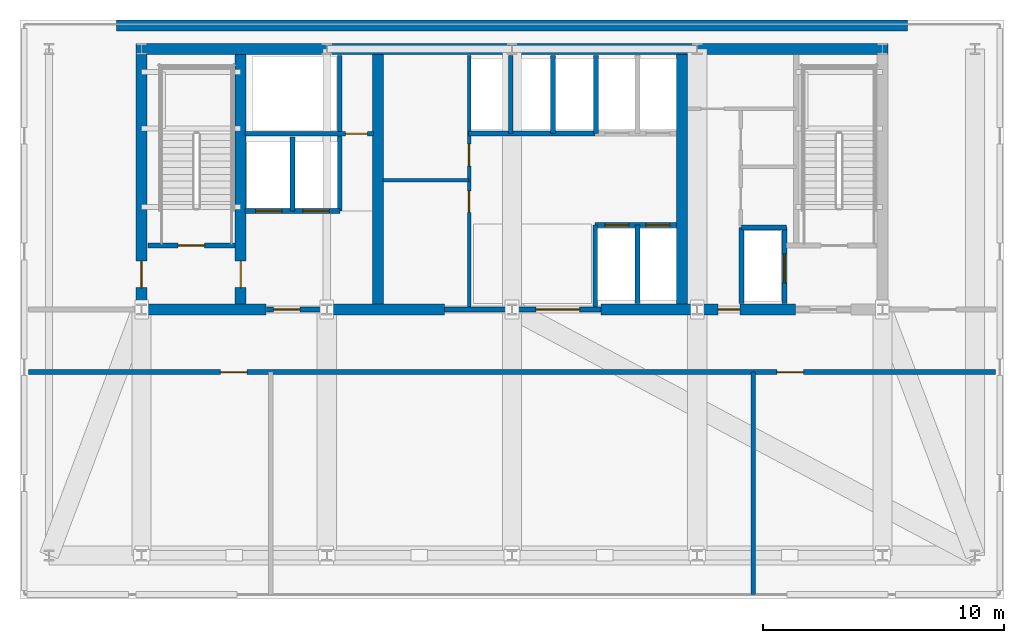
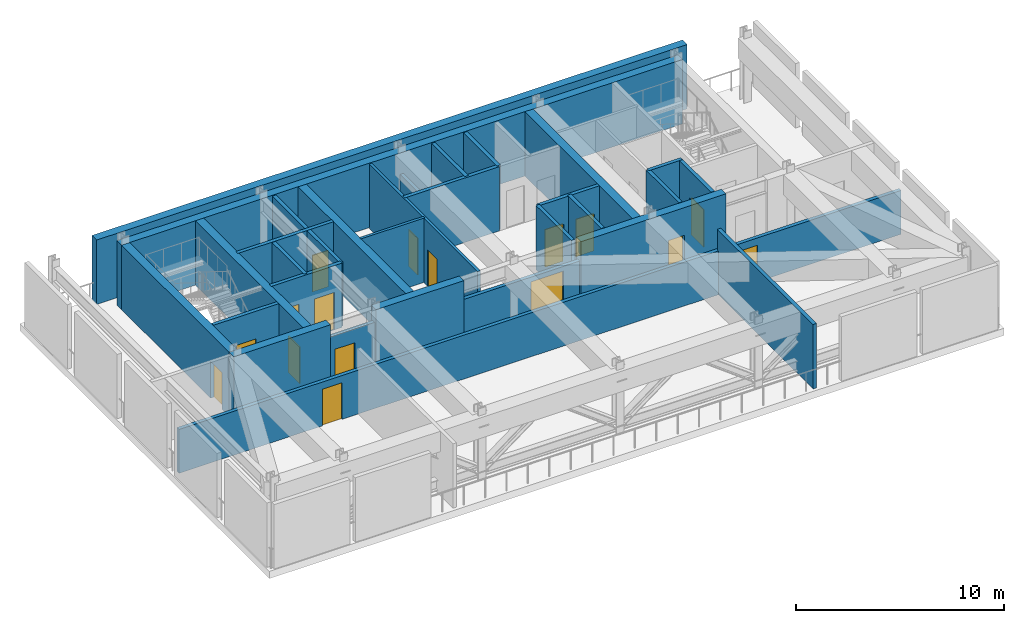
# One storey, part 2 of 8: 30 walls, 16 doors, 16 openings.
"""IFC4 building model written with IfcOpenShell, lengths in metres."""

from ifc_helpers import new_model, si_unit, direction, frame, frame_2d, origin, place, context, subcontext, project, spatial, rectangle, extrude, material, layer, layer_set, type_object, element, fill, save


model = new_model("IFC4")

# Units and contexts
model_context = context("Model", 3, precision=1e-05, world=origin(), true_north=direction((0.0, 1.0)))
body_context = subcontext(model_context, "Body", "Model", "MODEL_VIEW")
ifc_project = project(units=[si_unit("LENGTHUNIT", "METRE"), si_unit("AREAUNIT", "SQUARE_METRE"), si_unit("VOLUMEUNIT", "CUBIC_METRE"), si_unit("PLANEANGLEUNIT", "RADIAN"), si_unit("MASSUNIT", "GRAM", prefix="KILO")], contexts=[model_context])

# Site, building, storey
site_placement = place(None, origin())
site = spatial("IfcSite", under=ifc_project, at=site_placement, CompositionType="ELEMENT")
building_placement = place(site_placement, origin())
building = spatial("IfcBuilding", under=site, at=building_placement, Name="Yelkora Congress Tower", CompositionType="ELEMENT")
storey_placement = place(building_placement, frame((0.0, 0.0, 200.300048828125)))
storey = spatial("IfcBuildingStorey", under=building, at=storey_placement, Name="L55", CompositionType="ELEMENT", Elevation=200.300048828125)

# Walls
ifc_material_1 = material(Name="Concrete C60/75", Category="concrete")
ifc_layer_1 = layer(ifc_material_1, 0.449951171875)
ifc_layer_set_1 = layer_set([ifc_layer_1], Name="Concrete C60/75")
wall_type_1 = type_object("IfcWallType", Name="WALL-CORE-EXT-450", PredefinedType="SHEAR", material=ifc_layer_set_1)
wall_1_placement = place(storey_placement, frame((22.0, 47.175048828125, 0.0), z_axis=(0.0, 0.0, 1.0), x_axis=(1.0, 0.0, 0.0)))
element("IfcWall", 1, at=wall_1_placement, inside=storey, type_object=wall_type_1, Name="L55 Exterior North Core Shear Wall", PredefinedType="SHEAR", context=body_context, shape_type="SweptSolid", body=[
    extrude(rectangle(XDim=32.800048828125, YDim=0.449951171875, at=frame_2d((16.39990234375, 0.0))), origin(), (0.0, 0.0, 1.0), 3.780029296875),
])
ifc_layer_2 = layer(ifc_material_1, 0.449951171875)
ifc_layer_set_2 = layer_set([ifc_layer_2], Name="Concrete C60/75")
wall_type_2 = type_object("IfcWallType", Name="WALL-CORE-INT-450", PredefinedType="SHEAR", material=ifc_layer_set_2)
wall_2_placement = place(storey_placement, frame((22.81494140625, 46.199951171875, 0.0), z_axis=(0.0, 0.0, 1.0), x_axis=(1.0, 0.0, 0.0)))
element("IfcWall", 2, at=wall_2_placement, inside=storey, type_object=wall_type_2, Name="L55 Rear Core North Shear Wall", PredefinedType="SHEAR", context=body_context, shape_type="SweptSolid", body=[
    extrude(rectangle(XDim=31.170166015625, YDim=0.449951171875, at=frame_2d((15.5849609375, 0.0))), origin(), (0.0, 0.0, 1.0), 3.780029296875),
])
wall_3_placement = place(storey_placement, frame((22.81494140625, 35.39990234375, 0.0), z_axis=(0.0, 0.0, 1.0), x_axis=(1.0, 0.0, 0.0)))
element("IfcWall", 3, at=wall_3_placement, inside=storey, type_object=wall_type_2, Name="L55 Rear Core South-West Shear Wall", PredefinedType="SHEAR", context=body_context, shape_type="SweptSolid", body=[
    extrude(rectangle(XDim=5.385009765625, YDim=0.449951171875, at=frame_2d((2.6923828125, 0.0))), origin(), (0.0, 0.0, 1.0), 3.780029296875),
])
wall_4_placement = place(storey_placement, frame((30.719970703125, 35.39990234375, 0.0), z_axis=(0.0, 0.0, 1.0), x_axis=(1.0, 0.0, 0.0)))
element("IfcWall", 4, at=wall_4_placement, inside=storey, type_object=wall_type_2, Name="L55 Rear Core South-Center Shear Pier", PredefinedType="SHEAR", context=body_context, shape_type="SweptSolid", body=[
    extrude(rectangle(XDim=4.880126953125, YDim=0.449951171875, at=frame_2d((2.43994140625, 0.0))), origin(), (0.0, 0.0, 1.0), 3.780029296875),
])

# Wall, opening, door
wall_5_placement = place(storey_placement, frame((42.10009765625, 35.39990234375, 0.0), z_axis=(0.0, 0.0, 1.0), x_axis=(1.0, 0.0, 0.0)))
wall_5 = element("IfcWall", 5, at=wall_5_placement, inside=storey, type_object=wall_type_2, Name="L55 Rear Core South-East Shear Wall A", PredefinedType="SHEAR", context=body_context, shape_type="SweptSolid", body=[
    extrude(rectangle(XDim=8.0498046875, YDim=0.449951171875, at=frame_2d((4.02490234375, 0.0))), origin(), (0.0, 0.0, 1.0), 3.780029296875),
])
opening_1_placement = place(wall_5_placement, frame((4.85009765625, 0.0, 0.0)))
opening_1 = element("IfcOpeningElement", 6, at=opening_1_placement, cuts=wall_5, Name="Opening DR-090F6", PredefinedType="OPENING", context=body_context, shape_type="SweptSolid", body=[
    extrude(rectangle(XDim=0.89990234375, YDim=2.14990234375, at=frame_2d((0.449951171875, 1.074951171875))), frame((0.0, 0.23486328125, 0.0), z_axis=(0.0, -1.0, 0.0), x_axis=(1.0, 0.0, 0.0)), (0.0, 0.0, 1.0), 0.469970703125),
])
ifc_material_2 = material(Name="Painted steel riser fire door leaf", Category="steel")
door_type_1 = type_object("IfcDoorType", Name="DOOR-FD60-900", OperationType="NOTDEFINED", PredefinedType="DOOR", material=ifc_material_2)
door_1_placement = place(opening_1_placement, origin())
door_1 = element("IfcDoor", 7, at=door_1_placement, inside=storey, type_object=door_type_1, Name="L55 Core Washroom Lobby Door", OperationType="SINGLE_SWING_RIGHT", OverallHeight=2.14990234375, OverallWidth=0.89990234375, PredefinedType="DOOR", context=body_context, shape_type="SweptSolid", body=[
    extrude(rectangle(XDim=0.89990234375, YDim=2.14990234375, at=frame_2d((0.449951171875, 1.074951171875))), frame((0.0, 0.02490234375, 0.0), z_axis=(0.0, -1.0, 0.0), x_axis=(1.0, 0.0, 0.0)), (0.0, 0.0, 1.0), 0.050048828125),
])
fill(opening_1, door_1)

wall_6_placement = place(storey_placement, frame((23.0400390625, 35.625, 0.0), z_axis=(0.0, 0.0, 1.0), x_axis=(0.0, 1.0, 0.0)))
wall_6 = element("IfcWall", 8, at=wall_6_placement, inside=storey, type_object=wall_type_2, Name="L55 Rear Core Cross Shear Wall W", PredefinedType="SHEAR", context=body_context, shape_type="SweptSolid", body=[
    extrude(rectangle(XDim=10.35009765625, YDim=0.449951171875, at=frame_2d((5.175048828125, 0.0))), origin(), (0.0, 0.0, 1.0), 3.780029296875),
])
opening_2_placement = place(wall_6_placement, frame((0.675048828125, 0.0, 0.0)))
opening_2 = element("IfcOpeningElement", 9, at=opening_2_placement, cuts=wall_6, Name="Opening DR-110F9", PredefinedType="OPENING", context=body_context, shape_type="SweptSolid", body=[
    extrude(rectangle(XDim=1.10009765625, YDim=2.14990234375, at=frame_2d((0.550048828125, 1.074951171875))), frame((0.0, 0.23486328125, 0.0), z_axis=(0.0, -1.0, 0.0), x_axis=(1.0, 0.0, 0.0)), (0.0, 0.0, 1.0), 0.469970703125),
])
ifc_material_3 = material(Name="Galvanised steel fire door leaf", Category="steel")
door_type_2 = type_object("IfcDoorType", Name="DOOR-FD90-1100", OperationType="NOTDEFINED", PredefinedType="DOOR", material=ifc_material_3)
door_2_placement = place(opening_2_placement, origin())
door_2 = element("IfcDoor", 10, at=door_2_placement, inside=storey, type_object=door_type_2, Name="L55 Area of Refuge Direct Stair-Lobby Door", OperationType="SINGLE_SWING_LEFT", OverallHeight=2.14990234375, OverallWidth=1.10009765625, PredefinedType="DOOR", context=body_context, shape_type="SweptSolid", body=[
    extrude(rectangle(XDim=1.10009765625, YDim=2.14990234375, at=frame_2d((0.550048828125, 1.074951171875))), frame((0.0, 0.02490234375, 0.0), z_axis=(0.0, -1.0, 0.0), x_axis=(1.0, 0.0, 0.0)), (0.0, 0.0, 1.0), 0.050048828125),
])
fill(opening_2, door_2)

wall_7_placement = place(storey_placement, frame((27.14990234375, 35.625, 0.0), z_axis=(0.0, 0.0, 1.0), x_axis=(0.0, 1.0, 0.0)))
wall_7 = element("IfcWall", 11, at=wall_7_placement, inside=storey, type_object=wall_type_2, Name="L55 Rear Core Cross Shear Wall C1", PredefinedType="SHEAR", context=body_context, shape_type="SweptSolid", body=[
    extrude(rectangle(XDim=10.35009765625, YDim=0.449951171875, at=frame_2d((5.175048828125, 0.0))), origin(), (0.0, 0.0, 1.0), 3.780029296875),
])
opening_3_placement = place(wall_7_placement, frame((0.675048828125, 0.0, 0.0)))
opening_3 = element("IfcOpeningElement", 12, at=opening_3_placement, cuts=wall_7, Name="Opening DR-110F9", PredefinedType="OPENING", context=body_context, shape_type="SweptSolid", body=[
    extrude(rectangle(XDim=1.10009765625, YDim=2.14990234375, at=frame_2d((0.550048828125, 1.074951171875))), frame((0.0, 0.23486328125, 0.0), z_axis=(0.0, -1.0, 0.0), x_axis=(1.0, 0.0, 0.0)), (0.0, 0.0, 1.0), 0.469970703125),
])
door_3_placement = place(opening_3_placement, origin())
door_3 = element("IfcDoor", 13, at=door_3_placement, inside=storey, type_object=door_type_2, Name="L55 Firefighting Stair Transfer Door", OperationType="SINGLE_SWING_LEFT", OverallHeight=2.14990234375, OverallWidth=1.10009765625, PredefinedType="DOOR", context=body_context, shape_type="SweptSolid", body=[
    extrude(rectangle(XDim=1.10009765625, YDim=2.14990234375, at=frame_2d((0.550048828125, 1.074951171875))), frame((0.0, 0.02490234375, 0.0), z_axis=(0.0, -1.0, 0.0), x_axis=(1.0, 0.0, 0.0)), (0.0, 0.0, 1.0), 0.050048828125),
])
fill(opening_3, door_3)

# Walls
for number, where, z_axis, x_axis, name in (
    (14, (32.85009765625, 35.625, 0.0), (0.0, 0.0, 1.0), (0.0, 1.0, 0.0), "L55 Rear Core Cross Shear Wall C2"),
    (15, (45.449951171875, 35.625, 0.0), (0.0, 0.0, 1.0), (0.0, 1.0, 0.0), "L55 Rear Core Cross Shear Wall C3"),
):
    element("IfcWall", number, at=place(storey_placement, frame(where, z_axis=z_axis, x_axis=x_axis)), inside=storey, type_object=wall_type_2, Name=name, PredefinedType="SHEAR", context=body_context, shape_type="SweptSolid", body=[
        extrude(rectangle(XDim=10.35009765625, YDim=0.449951171875, at=frame_2d((5.175048828125, 0.0))), origin(), (0.0, 0.0, 1.0), 3.780029296875),
    ])
ifc_material_4 = material(Name="Twin-stud fire-rated gypsum partition", Category="gypsum")
ifc_layer_3 = layer(ifc_material_4, 0.14990234375)
ifc_layer_set_3 = layer_set([ifc_layer_3], Name="Twin-stud fire-rated gypsum partition")
wall_type_3 = type_object("IfcWallType", Name="WALL-INT-150-R60", PredefinedType="PARTITIONING", material=ifc_layer_set_3)
wall_8_placement = place(storey_placement, frame((33.050048828125, 40.75, 0.0), z_axis=(0.0, 0.0, 1.0), x_axis=(1.0, 0.0, 0.0)))
element("IfcWall", 16, at=wall_8_placement, inside=storey, type_object=wall_type_3, Name="L55 Partition Wall 11", PredefinedType="PARTITIONING", context=body_context, shape_type="SweptSolid", body=[
    extrude(rectangle(XDim=3.570068359375, YDim=0.14990234375, at=frame_2d((1.78515625, 0.0))), origin(), (0.0, 0.0, 1.0), 3.780029296875),
])

# Wall, openings, doors
wall_9_placement = place(storey_placement, frame((36.6201171875, 35.5, 0.0), z_axis=(0.0, 0.0, 1.0), x_axis=(0.0, 1.0, 0.0)))
wall_9 = element("IfcWall", 17, at=wall_9_placement, inside=storey, type_object=wall_type_3, Name="L55 Partition Wall 12", PredefinedType="PARTITIONING", context=body_context, shape_type="SweptSolid", body=[
    extrude(rectangle(XDim=10.419921875, YDim=0.14990234375, at=frame_2d((5.2099609375, 0.0))), origin(), (0.0, 0.0, 1.0), 3.780029296875),
])
opening_4_placement = place(wall_9_placement, frame((3.919921875, 0.0, 0.0)))
opening_4 = element("IfcOpeningElement", 18, at=opening_4_placement, cuts=wall_9, Name="Opening DR-090F6", PredefinedType="OPENING", context=body_context, shape_type="SweptSolid", body=[
    extrude(rectangle(XDim=0.89990234375, YDim=2.14990234375, at=frame_2d((0.449951171875, 1.074951171875))), frame((0.0, 0.0849609375, 0.0), z_axis=(0.0, -1.0, 0.0), x_axis=(1.0, 0.0, 0.0)), (0.0, 0.0, 1.0), 0.169921875),
])
opening_5_placement = place(wall_9_placement, frame((5.85009765625, 0.0, 0.0)))
opening_5 = element("IfcOpeningElement", 19, at=opening_5_placement, cuts=wall_9, Name="Opening DR-090F6", PredefinedType="OPENING", context=body_context, shape_type="SweptSolid", body=[
    extrude(rectangle(XDim=0.89990234375, YDim=2.14990234375, at=frame_2d((0.449951171875, 1.074951171875))), frame((0.0, 0.0849609375, 0.0), z_axis=(0.0, -1.0, 0.0), x_axis=(1.0, 0.0, 0.0)), (0.0, 0.0, 1.0), 0.169921875),
])
door_4_placement = place(opening_4_placement, origin())
door_4 = element("IfcDoor", 20, at=door_4_placement, inside=storey, type_object=door_type_1, Name="L55 Telecom Store Door", OperationType="SINGLE_SWING_LEFT", OverallHeight=2.14990234375, OverallWidth=0.89990234375, PredefinedType="DOOR", context=body_context, shape_type="SweptSolid", body=[
    extrude(rectangle(XDim=0.89990234375, YDim=2.14990234375, at=frame_2d((0.449951171875, 1.074951171875))), frame((0.0, 0.02490234375, 0.0), z_axis=(0.0, -1.0, 0.0), x_axis=(1.0, 0.0, 0.0)), (0.0, 0.0, 1.0), 0.050048828125),
])
fill(opening_4, door_4)
door_5_placement = place(opening_5_placement, origin())
door_5 = element("IfcDoor", 21, at=door_5_placement, inside=storey, type_object=door_type_1, Name="L55 Archive Store Door", OperationType="SINGLE_SWING_RIGHT", OverallHeight=2.14990234375, OverallWidth=0.89990234375, PredefinedType="DOOR", context=body_context, shape_type="SweptSolid", body=[
    extrude(rectangle(XDim=0.89990234375, YDim=2.14990234375, at=frame_2d((0.449951171875, 1.074951171875))), frame((0.0, 0.02490234375, 0.0), z_axis=(0.0, -1.0, 0.0), x_axis=(1.0, 0.0, 0.0)), (0.0, 0.0, 1.0), 0.050048828125),
])
fill(opening_5, door_5)

# Wall, opening, door
ifc_material_5 = material(Name="Autoclaved aerated concrete blockwork", Category="masonry")
ifc_layer_4 = layer(ifc_material_5, 0.199951171875)
ifc_layer_set_4 = layer_set([ifc_layer_4], Name="Autoclaved aerated concrete blockwork")
wall_type_4 = type_object("IfcWallType", Name="WALL-INT-200-R120", PredefinedType="PARTITIONING", material=ifc_layer_set_4)
wall_10_placement = place(storey_placement, frame((23.300048828125, 38.050048828125, 0.0), z_axis=(0.0, 0.0, 1.0), x_axis=(1.0, 0.0, 0.0)))
wall_10 = element("IfcWall", 22, at=wall_10_placement, inside=storey, type_object=wall_type_4, Name="L55 Stair ST-01 Enclosure Wall", PredefinedType="PARTITIONING", context=body_context, shape_type="SweptSolid", body=[
    extrude(rectangle(XDim=3.619873046875, YDim=0.199951171875, at=frame_2d((1.81005859375, 0.0))), origin(), (0.0, 0.0, 1.0), 3.780029296875),
])
opening_6_placement = place(wall_10_placement, frame((1.260009765625, 0.0, 0.0)))
opening_6 = element("IfcOpeningElement", 23, at=opening_6_placement, cuts=wall_10, Name="Opening DR-110F9", PredefinedType="OPENING", context=body_context, shape_type="SweptSolid", body=[
    extrude(rectangle(XDim=1.10009765625, YDim=2.14990234375, at=frame_2d((0.550048828125, 1.074951171875))), frame((0.0, 0.10986328125, 0.0), z_axis=(0.0, -1.0, 0.0), x_axis=(1.0, 0.0, 0.0)), (0.0, 0.0, 1.0), 0.219970703125),
])
door_6_placement = place(opening_6_placement, origin())
door_6 = element("IfcDoor", 24, at=door_6_placement, inside=storey, type_object=door_type_2, Name="L55 Stair ST-01 Entry Door", OperationType="SINGLE_SWING_LEFT", OverallHeight=2.14990234375, OverallWidth=1.10009765625, PredefinedType="DOOR", context=body_context, shape_type="SweptSolid", body=[
    extrude(rectangle(XDim=1.10009765625, YDim=2.14990234375, at=frame_2d((0.550048828125, 1.074951171875))), frame((0.0, 0.02490234375, 0.0), z_axis=(0.0, -1.0, 0.0), x_axis=(1.0, 0.0, 0.0)), (0.0, 0.0, 1.0), 0.050048828125),
])
fill(opening_6, door_6)

wall_11_placement = place(storey_placement, frame((28.219970703125, 35.39990234375, 0.0), z_axis=(0.0, 0.0, 1.0), x_axis=(1.0, 0.0, 0.0)))
wall_11 = element("IfcWall", 25, at=wall_11_placement, inside=storey, type_object=wall_type_4, Name="L55 Firefighting Lobby South Wall", PredefinedType="PARTITIONING", context=body_context, shape_type="SweptSolid", body=[
    extrude(rectangle(XDim=2.5, YDim=0.199951171875, at=frame_2d((1.25, 0.0))), origin(), (0.0, 0.0, 1.0), 2.9609375),
])
opening_7_placement = place(wall_11_placement, frame((0.300048828125, 0.0, 0.0)))
opening_7 = element("IfcOpeningElement", 26, at=opening_7_placement, cuts=wall_11, Name="Opening DR-110F9", PredefinedType="OPENING", context=body_context, shape_type="SweptSolid", body=[
    extrude(rectangle(XDim=1.10009765625, YDim=2.14990234375, at=frame_2d((0.550048828125, 1.074951171875))), frame((0.0, 0.10986328125, 0.0), z_axis=(0.0, -1.0, 0.0), x_axis=(1.0, 0.0, 0.0)), (0.0, 0.0, 1.0), 0.219970703125),
])
door_7_placement = place(opening_7_placement, origin())
door_7 = element("IfcDoor", 27, at=door_7_placement, inside=storey, type_object=door_type_2, Name="L55 Firefighting Lobby Corridor Door", OperationType="SINGLE_SWING_RIGHT", OverallHeight=2.14990234375, OverallWidth=1.10009765625, PredefinedType="DOOR", context=body_context, shape_type="SweptSolid", body=[
    extrude(rectangle(XDim=1.10009765625, YDim=2.14990234375, at=frame_2d((0.550048828125, 1.074951171875))), frame((0.0, 0.02490234375, 0.0), z_axis=(0.0, -1.0, 0.0), x_axis=(1.0, 0.0, 0.0)), (0.0, 0.0, 1.0), 0.050048828125),
])
fill(opening_7, door_7)

# Wall, openings, doors
wall_12_placement = place(storey_placement, frame((27.320068359375, 39.47998046875, 0.0), z_axis=(0.0, 0.0, 1.0), x_axis=(1.0, 0.0, 0.0)))
wall_12 = element("IfcWall", 28, at=wall_12_placement, inside=storey, type_object=wall_type_4, Name="L55 Firefighting Lift Front Wall", PredefinedType="PARTITIONING", context=body_context, shape_type="SweptSolid", body=[
    extrude(rectangle(XDim=3.93994140625, YDim=0.199951171875, at=frame_2d((1.969970703125, 0.0))), origin(), (0.0, 0.0, 1.0), 3.780029296875),
])
opening_8_placement = place(wall_12_placement, frame((0.449951171875, 0.0, 0.0)))
opening_8 = element("IfcOpeningElement", 29, at=opening_8_placement, cuts=wall_12, Name="Opening LD-FF11", PredefinedType="OPENING", context=body_context, shape_type="SweptSolid", body=[
    extrude(rectangle(XDim=1.10009765625, YDim=2.199951171875, at=frame_2d((0.550048828125, 1.10009765625))), frame((0.0, 0.10986328125, 0.0), z_axis=(0.0, -1.0, 0.0), x_axis=(1.0, 0.0, 0.0)), (0.0, 0.0, 1.0), 0.219970703125),
])
opening_9_placement = place(wall_12_placement, frame((2.409912109375, 0.0, 0.0)))
opening_9 = element("IfcOpeningElement", 30, at=opening_9_placement, cuts=wall_12, Name="Opening LD-FF11", PredefinedType="OPENING", context=body_context, shape_type="SweptSolid", body=[
    extrude(rectangle(XDim=1.10009765625, YDim=2.199951171875, at=frame_2d((0.550048828125, 1.10009765625))), frame((0.0, 0.10986328125, 0.0), z_axis=(0.0, -1.0, 0.0), x_axis=(1.0, 0.0, 0.0)), (0.0, 0.0, 1.0), 0.219970703125),
])
ifc_material_6 = material(Name="Brushed stainless steel 316L landing door", Category="steel")
door_type_3 = type_object("IfcDoorType", Name="DOOR-LIFT-FF-1100", OperationType="DOUBLE_DOOR_SLIDING", PredefinedType="DOOR", material=ifc_material_6)
door_8_placement = place(opening_8_placement, origin())
door_8 = element("IfcDoor", 31, at=door_8_placement, inside=storey, type_object=door_type_3, Name="Lift Landing Door LF-FF1 L55", OperationType="DOUBLE_DOOR_SLIDING", OverallHeight=2.199951171875, OverallWidth=1.10009765625, PredefinedType="DOOR", context=body_context, shape_type="SweptSolid", body=[
    extrude(rectangle(XDim=1.10009765625, YDim=2.199951171875, at=frame_2d((0.550048828125, 1.10009765625))), frame((0.0, 0.02490234375, 0.0), z_axis=(0.0, -1.0, 0.0), x_axis=(1.0, 0.0, 0.0)), (0.0, 0.0, 1.0), 0.050048828125),
])
fill(opening_8, door_8)
door_9_placement = place(opening_9_placement, origin())
door_9 = element("IfcDoor", 32, at=door_9_placement, inside=storey, type_object=door_type_3, Name="Lift Landing Door LF-FF2 L55", OperationType="DOUBLE_DOOR_SLIDING", OverallHeight=2.199951171875, OverallWidth=1.10009765625, PredefinedType="DOOR", context=body_context, shape_type="SweptSolid", body=[
    extrude(rectangle(XDim=1.10009765625, YDim=2.199951171875, at=frame_2d((0.550048828125, 1.10009765625))), frame((0.0, 0.02490234375, 0.0), z_axis=(0.0, -1.0, 0.0), x_axis=(1.0, 0.0, 0.0)), (0.0, 0.0, 1.0), 0.050048828125),
])
fill(opening_9, door_9)

# Walls
wall_13_placement = place(storey_placement, frame((29.300048828125, 39.47998046875, 0.0), z_axis=(0.0, 0.0, 1.0), x_axis=(0.0, 1.0, 0.0)))
element("IfcWall", 33, at=wall_13_placement, inside=storey, type_object=wall_type_4, Name="L55 Partition Wall 4", PredefinedType="PARTITIONING", context=body_context, shape_type="SweptSolid", body=[
    extrude(rectangle(XDim=3.070068359375, YDim=0.199951171875, at=frame_2d((1.53515625, 0.0))), origin(), (0.0, 0.0, 1.0), 3.780029296875),
])
wall_14_placement = place(storey_placement, frame((31.260009765625, 39.47998046875, 0.0), z_axis=(0.0, 0.0, 1.0), x_axis=(0.0, 1.0, 0.0)))
element("IfcWall", 34, at=wall_14_placement, inside=storey, type_object=wall_type_4, Name="L55 Partition Wall 5", PredefinedType="PARTITIONING", context=body_context, shape_type="SweptSolid", body=[
    extrude(rectangle(XDim=6.43994140625, YDim=0.199951171875, at=frame_2d((3.219970703125, 0.0))), origin(), (0.0, 0.0, 1.0), 3.780029296875),
])

# Wall, opening, door
wall_15_placement = place(storey_placement, frame((27.320068359375, 42.679931640625, 0.0), z_axis=(0.0, 0.0, 1.0), x_axis=(1.0, 0.0, 0.0)))
wall_15 = element("IfcWall", 35, at=wall_15_placement, inside=storey, type_object=wall_type_4, Name="L55 Smoke Riser South Wall", PredefinedType="PARTITIONING", context=body_context, shape_type="SweptSolid", body=[
    extrude(rectangle(XDim=5.329833984375, YDim=0.199951171875, at=frame_2d((2.6650390625, 0.0))), origin(), (0.0, 0.0, 1.0), 3.780029296875),
])
opening_10_placement = place(wall_15_placement, frame((4.179931640625, 0.0, 0.0)))
opening_10 = element("IfcOpeningElement", 36, at=opening_10_placement, cuts=wall_15, Name="Opening DR-090F6", PredefinedType="OPENING", context=body_context, shape_type="SweptSolid", body=[
    extrude(rectangle(XDim=0.89990234375, YDim=2.14990234375, at=frame_2d((0.449951171875, 1.074951171875))), frame((0.0, 0.10986328125, 0.0), z_axis=(0.0, -1.0, 0.0), x_axis=(1.0, 0.0, 0.0)), (0.0, 0.0, 1.0), 0.219970703125),
])
door_10_placement = place(opening_10_placement, origin())
door_10 = element("IfcDoor", 37, at=door_10_placement, inside=storey, type_object=door_type_1, Name="L55 Riser Access Door", OperationType="SINGLE_SWING_LEFT", OverallHeight=2.14990234375, OverallWidth=0.89990234375, PredefinedType="DOOR", context=body_context, shape_type="SweptSolid", body=[
    extrude(rectangle(XDim=0.89990234375, YDim=2.14990234375, at=frame_2d((0.449951171875, 1.074951171875))), frame((0.0, 0.02490234375, 0.0), z_axis=(0.0, -1.0, 0.0), x_axis=(1.0, 0.0, 0.0)), (0.0, 0.0, 1.0), 0.050048828125),
])
fill(opening_10, door_10)

wall_16_placement = place(storey_placement, frame((35.60009765625, 35.39990234375, 0.0), z_axis=(0.0, 0.0, 1.0), x_axis=(1.0, 0.0, 0.0)))
wall_16 = element("IfcWall", 38, at=wall_16_placement, inside=storey, type_object=wall_type_4, Name="L55 Main Lift Lobby South Portal Wall", PredefinedType="PARTITIONING", context=body_context, shape_type="SweptSolid", body=[
    extrude(rectangle(XDim=6.5, YDim=0.199951171875, at=frame_2d((3.25, 0.0))), origin(), (0.0, 0.0, 1.0), 2.574951171875),
])
opening_11_placement = place(wall_16_placement, frame((3.800048828125, 0.0, 0.0)))
opening_11 = element("IfcOpeningElement", 39, at=opening_11_placement, cuts=wall_16, Name="Opening DR-180D", PredefinedType="OPENING", context=body_context, shape_type="SweptSolid", body=[
    extrude(rectangle(XDim=1.800048828125, YDim=2.300048828125, at=frame_2d((0.89990234375, 1.14990234375))), frame((0.0, 0.10986328125, 0.0), z_axis=(0.0, -1.0, 0.0), x_axis=(1.0, 0.0, 0.0)), (0.0, 0.0, 1.0), 0.219970703125),
])
ifc_material_7 = material(Name="Acoustic double congress hall doors", Category="wood")
door_type_4 = type_object("IfcDoorType", Name="DOOR-DBL-1800", OperationType="DOUBLE_DOOR_SINGLE_SWING", PredefinedType="DOOR", material=ifc_material_7)
door_11_placement = place(opening_11_placement, origin())
door_11 = element("IfcDoor", 40, at=door_11_placement, inside=storey, type_object=door_type_4, Name="L55 Main Lift Lobby Portal Door", OperationType="DOUBLE_DOOR_SINGLE_SWING", OverallHeight=2.300048828125, OverallWidth=1.800048828125, PredefinedType="DOOR", context=body_context, shape_type="SweptSolid", body=[
    extrude(rectangle(XDim=1.800048828125, YDim=2.300048828125, at=frame_2d((0.89990234375, 1.14990234375))), frame((0.0, 0.02490234375, 0.0), z_axis=(0.0, -1.0, 0.0), x_axis=(1.0, 0.0, 0.0)), (0.0, 0.0, 1.0), 0.050048828125),
])
fill(opening_11, door_11)

# Walls
wall_17_placement = place(storey_placement, frame((36.60009765625, 42.699951171875, 0.0), z_axis=(0.0, 0.0, 1.0), x_axis=(1.0, 0.0, 0.0)))
element("IfcWall", 41, at=wall_17_placement, inside=storey, type_object=wall_type_4, Name="L55 Partition Wall 8", PredefinedType="PARTITIONING", context=body_context, shape_type="SweptSolid", body=[
    extrude(rectangle(XDim=5.25, YDim=0.199951171875, at=frame_2d((2.625, 0.0))), origin(), (0.0, 0.0, 1.0), 3.780029296875),
])
wall_18_placement = place(storey_placement, frame((38.35009765625, 42.699951171875, 0.0), z_axis=(0.0, 0.0, 1.0), x_axis=(0.0, 1.0, 0.0)))
element("IfcWall", 42, at=wall_18_placement, inside=storey, type_object=wall_type_4, Name="L55 Partition Wall 9", PredefinedType="PARTITIONING", context=body_context, shape_type="SweptSolid", body=[
    extrude(rectangle(XDim=3.219970703125, YDim=0.199951171875, at=frame_2d((1.60986328125, 0.0))), origin(), (0.0, 0.0, 1.0), 2.574951171875),
])
wall_19_placement = place(storey_placement, frame((40.10009765625, 42.699951171875, 0.0), z_axis=(0.0, 0.0, 1.0), x_axis=(0.0, 1.0, 0.0)))
element("IfcWall", 43, at=wall_19_placement, inside=storey, type_object=wall_type_4, Name="L55 Partition Wall 10", PredefinedType="PARTITIONING", context=body_context, shape_type="SweptSolid", body=[
    extrude(rectangle(XDim=3.219970703125, YDim=0.199951171875, at=frame_2d((1.60986328125, 0.0))), origin(), (0.0, 0.0, 1.0), 3.780029296875),
])

# Wall, openings, doors
wall_20_placement = place(storey_placement, frame((41.85009765625, 38.89990234375, 0.0), z_axis=(0.0, 0.0, 1.0), x_axis=(1.0, 0.0, 0.0)))
wall_20 = element("IfcWall", 44, at=wall_20_placement, inside=storey, type_object=wall_type_4, Name="L55 Partition Wall 13", PredefinedType="PARTITIONING", context=body_context, shape_type="SweptSolid", body=[
    extrude(rectangle(XDim=3.369873046875, YDim=0.199951171875, at=frame_2d((1.68505859375, 0.0))), origin(), (0.0, 0.0, 1.0), 3.780029296875),
])
opening_12_placement = place(wall_20_placement, frame((0.39990234375, 0.0, 0.0)))
opening_12 = element("IfcOpeningElement", 45, at=opening_12_placement, cuts=wall_20, Name="Opening LD-PS10", PredefinedType="OPENING", context=body_context, shape_type="SweptSolid", body=[
    extrude(rectangle(XDim=1.0, YDim=2.199951171875, at=frame_2d((0.5, 1.10009765625))), frame((0.0, 0.10986328125, 0.0), z_axis=(0.0, -1.0, 0.0), x_axis=(1.0, 0.0, 0.0)), (0.0, 0.0, 1.0), 0.219970703125),
])
opening_13_placement = place(wall_20_placement, frame((2.10009765625, 0.0, 0.0)))
opening_13 = element("IfcOpeningElement", 46, at=opening_13_placement, cuts=wall_20, Name="Opening LD-PS10", PredefinedType="OPENING", context=body_context, shape_type="SweptSolid", body=[
    extrude(rectangle(XDim=1.0, YDim=2.199951171875, at=frame_2d((0.5, 1.10009765625))), frame((0.0, 0.10986328125, 0.0), z_axis=(0.0, -1.0, 0.0), x_axis=(1.0, 0.0, 0.0)), (0.0, 0.0, 1.0), 0.219970703125),
])
ifc_material_8 = material(Name="Champagne stainless steel landing door", Category="steel")
door_type_5 = type_object("IfcDoorType", Name="DOOR-LIFT-PAS-1000", OperationType="DOUBLE_DOOR_SLIDING", PredefinedType="DOOR", material=ifc_material_8)
door_12_placement = place(opening_12_placement, origin())
door_12 = element("IfcDoor", 47, at=door_12_placement, inside=storey, type_object=door_type_5, Name="Lift Landing Door LF-P5 L55", OperationType="DOUBLE_DOOR_SLIDING", OverallHeight=2.199951171875, OverallWidth=1.0, PredefinedType="DOOR", context=body_context, shape_type="SweptSolid", body=[
    extrude(rectangle(XDim=1.0, YDim=2.199951171875, at=frame_2d((0.5, 1.10009765625))), frame((0.0, 0.02490234375, 0.0), z_axis=(0.0, -1.0, 0.0), x_axis=(1.0, 0.0, 0.0)), (0.0, 0.0, 1.0), 0.050048828125),
])
fill(opening_12, door_12)
door_13_placement = place(opening_13_placement, origin())
door_13 = element("IfcDoor", 48, at=door_13_placement, inside=storey, type_object=door_type_5, Name="Lift Landing Door LF-P6 L55", OperationType="DOUBLE_DOOR_SLIDING", OverallHeight=2.199951171875, OverallWidth=1.0, PredefinedType="DOOR", context=body_context, shape_type="SweptSolid", body=[
    extrude(rectangle(XDim=1.0, YDim=2.199951171875, at=frame_2d((0.5, 1.10009765625))), frame((0.0, 0.02490234375, 0.0), z_axis=(0.0, -1.0, 0.0), x_axis=(1.0, 0.0, 0.0)), (0.0, 0.0, 1.0), 0.050048828125),
])
fill(opening_13, door_13)

# Walls
wall_21_placement = place(storey_placement, frame((43.60009765625, 35.64990234375, 0.0), z_axis=(0.0, 0.0, 1.0), x_axis=(0.0, 1.0, 0.0)))
element("IfcWall", 49, at=wall_21_placement, inside=storey, type_object=wall_type_4, Name="L55 Partition Wall 15", PredefinedType="PARTITIONING", context=body_context, shape_type="SweptSolid", body=[
    extrude(rectangle(XDim=3.25, YDim=0.199951171875, at=frame_2d((1.625, 0.0))), origin(), (0.0, 0.0, 1.0), 3.780029296875),
])
wall_22_placement = place(storey_placement, frame((41.85009765625, 35.5, 0.0), z_axis=(0.0, 0.0, 1.0), x_axis=(0.0, 1.0, 0.0)))
element("IfcWall", 50, at=wall_22_placement, inside=storey, type_object=wall_type_4, Name="L55 Partition Wall 17", PredefinedType="PARTITIONING", context=body_context, shape_type="SweptSolid", body=[
    extrude(rectangle(XDim=3.39990234375, YDim=0.199951171875, at=frame_2d((1.699951171875, 0.0))), origin(), (0.0, 0.0, 1.0), 3.780029296875),
])
wall_23_placement = place(storey_placement, frame((41.8798828125, 42.699951171875, 0.0), z_axis=(0.0, 0.0, 1.0), x_axis=(0.0, 1.0, 0.0)))
element("IfcWall", 51, at=wall_23_placement, inside=storey, type_object=wall_type_4, Name="L55 Partition Wall 18", PredefinedType="PARTITIONING", context=body_context, shape_type="SweptSolid", body=[
    extrude(rectangle(XDim=3.219970703125, YDim=0.199951171875, at=frame_2d((1.60986328125, 0.0))), origin(), (0.0, 0.0, 1.0), 3.780029296875),
])

# Wall, opening, door
wall_24_placement = place(storey_placement, frame((49.699951171875, 35.64990234375, 0.0), z_axis=(0.0, 0.0, 1.0), x_axis=(0.0, 1.0, 0.0)))
wall_24 = element("IfcWall", 52, at=wall_24_placement, inside=storey, type_object=wall_type_4, Name="L55 Partition Wall 21", PredefinedType="PARTITIONING", context=body_context, shape_type="SweptSolid", body=[
    extrude(rectangle(XDim=3.150146484375, YDim=0.199951171875, at=frame_2d((1.5751953125, 0.0))), origin(), (0.0, 0.0, 1.0), 3.780029296875),
])
opening_14_placement = place(wall_24_placement, frame((0.85009765625, 0.0, 0.0)))
opening_14 = element("IfcOpeningElement", 53, at=opening_14_placement, cuts=wall_24, Name="Opening LD-SV12", PredefinedType="OPENING", context=body_context, shape_type="SweptSolid", body=[
    extrude(rectangle(XDim=1.199951171875, YDim=2.199951171875, at=frame_2d((0.60009765625, 1.10009765625))), frame((0.0, 0.10986328125, 0.0), z_axis=(0.0, -1.0, 0.0), x_axis=(1.0, 0.0, 0.0)), (0.0, 0.0, 1.0), 0.219970703125),
])
ifc_material_9 = material(Name="Heavy-duty stainless steel landing door", Category="steel")
door_type_6 = type_object("IfcDoorType", Name="DOOR-LIFT-SRV-1200", OperationType="DOUBLE_DOOR_SLIDING", PredefinedType="DOOR", material=ifc_material_9)
door_14_placement = place(opening_14_placement, origin())
door_14 = element("IfcDoor", 54, at=door_14_placement, inside=storey, type_object=door_type_6, Name="Service Lift Landing Door LF-SV1 L55", OperationType="DOUBLE_DOOR_SLIDING", OverallHeight=2.199951171875, OverallWidth=1.199951171875, PredefinedType="DOOR", context=body_context, shape_type="SweptSolid", body=[
    extrude(rectangle(XDim=1.199951171875, YDim=2.199951171875, at=frame_2d((0.60009765625, 1.10009765625))), frame((0.0, 0.02490234375, 0.0), z_axis=(0.0, -1.0, 0.0), x_axis=(1.0, 0.0, 0.0)), (0.0, 0.0, 1.0), 0.050048828125),
])
fill(opening_14, door_14)

# Walls
wall_25_placement = place(storey_placement, frame((47.919921875, 35.64990234375, 0.0), z_axis=(0.0, 0.0, 1.0), x_axis=(0.0, 1.0, 0.0)))
element("IfcWall", 55, at=wall_25_placement, inside=storey, type_object=wall_type_4, Name="L55 Partition Wall 22", PredefinedType="PARTITIONING", context=body_context, shape_type="SweptSolid", body=[
    extrude(rectangle(XDim=3.150146484375, YDim=0.199951171875, at=frame_2d((1.5751953125, 0.0))), origin(), (0.0, 0.0, 1.0), 3.780029296875),
])
wall_26_placement = place(storey_placement, frame((47.919921875, 38.800048828125, 0.0), z_axis=(0.0, 0.0, 1.0), x_axis=(1.0, 0.0, 0.0)))
element("IfcWall", 56, at=wall_26_placement, inside=storey, type_object=wall_type_4, Name="L55 Partition Wall 23", PredefinedType="PARTITIONING", context=body_context, shape_type="SweptSolid", body=[
    extrude(rectangle(XDim=1.860107421875, YDim=0.199951171875, at=frame_2d((0.93017578125, 0.0))), origin(), (0.0, 0.0, 1.0), 3.780029296875),
])
wall_27_placement = place(storey_placement, frame((48.39990234375, 23.580078125, 0.0), z_axis=(0.0, 0.0, 1.0), x_axis=(0.0, 1.0, 0.0)))
element("IfcWall", 57, at=wall_27_placement, inside=storey, type_object=wall_type_4, Name="L55 Partition Wall 30", PredefinedType="PARTITIONING", context=body_context, shape_type="SweptSolid", body=[
    extrude(rectangle(XDim=9.219970703125, YDim=0.199951171875, at=frame_2d((4.60986328125, 0.0))), origin(), (0.0, 0.0, 1.0), 3.780029296875),
])

# Wall, openings, doors
wall_28_placement = place(storey_placement, frame((18.35009765625, 32.800048828125, 0.0), z_axis=(0.0, 0.0, 1.0), x_axis=(1.0, 0.0, 0.0)))
wall_28 = element("IfcWall", 58, at=wall_28_placement, inside=storey, type_object=wall_type_4, Name="L55 Partition Wall 31", PredefinedType="PARTITIONING", context=body_context, shape_type="SweptSolid", body=[
    extrude(rectangle(XDim=40.099853515625, YDim=0.199951171875, at=frame_2d((20.0498046875, 0.0))), origin(), (0.0, 0.0, 1.0), 2.574951171875),
])
opening_15_placement = place(wall_28_placement, frame((7.9619140625, 0.0, 0.0)))
opening_15 = element("IfcOpeningElement", 59, at=opening_15_placement, cuts=wall_28, Name="Opening DR-110F9", PredefinedType="OPENING", context=body_context, shape_type="SweptSolid", body=[
    extrude(rectangle(XDim=1.10009765625, YDim=2.14990234375, at=frame_2d((0.550048828125, 1.074951171875))), frame((0.0, 0.10986328125, 0.0), z_axis=(0.0, -1.0, 0.0), x_axis=(1.0, 0.0, 0.0)), (0.0, 0.0, 1.0), 0.219970703125),
])
opening_16_placement = place(wall_28_placement, frame((31.037109375, 0.0, 0.0)))
opening_16 = element("IfcOpeningElement", 60, at=opening_16_placement, cuts=wall_28, Name="Opening DR-110F9", PredefinedType="OPENING", context=body_context, shape_type="SweptSolid", body=[
    extrude(rectangle(XDim=1.10009765625, YDim=2.14990234375, at=frame_2d((0.550048828125, 1.074951171875))), frame((0.0, 0.10986328125, 0.0), z_axis=(0.0, -1.0, 0.0), x_axis=(1.0, 0.0, 0.0)), (0.0, 0.0, 1.0), 0.219970703125),
])
door_15_placement = place(opening_15_placement, origin())
door_15 = element("IfcDoor", 61, at=door_15_placement, inside=storey, type_object=door_type_2, Name="L55 Interior Door 20", OperationType="SINGLE_SWING_RIGHT", OverallHeight=2.14990234375, OverallWidth=1.10009765625, PredefinedType="DOOR", context=body_context, shape_type="SweptSolid", body=[
    extrude(rectangle(XDim=1.10009765625, YDim=2.14990234375, at=frame_2d((0.550048828125, 1.074951171875))), frame((0.0, 0.02490234375, 0.0), z_axis=(0.0, -1.0, 0.0), x_axis=(1.0, 0.0, 0.0)), (0.0, 0.0, 1.0), 0.050048828125),
])
fill(opening_15, door_15)
door_16_placement = place(opening_16_placement, origin())
door_16 = element("IfcDoor", 62, at=door_16_placement, inside=storey, type_object=door_type_2, Name="L55 Interior Door 21", OperationType="SINGLE_SWING_LEFT", OverallHeight=2.14990234375, OverallWidth=1.10009765625, PredefinedType="DOOR", context=body_context, shape_type="SweptSolid", body=[
    extrude(rectangle(XDim=1.10009765625, YDim=2.14990234375, at=frame_2d((0.550048828125, 1.074951171875))), frame((0.0, 0.02490234375, 0.0), z_axis=(0.0, -1.0, 0.0), x_axis=(1.0, 0.0, 0.0)), (0.0, 0.0, 1.0), 0.050048828125),
])
fill(opening_16, door_16)

save(model, "model.ifc")
